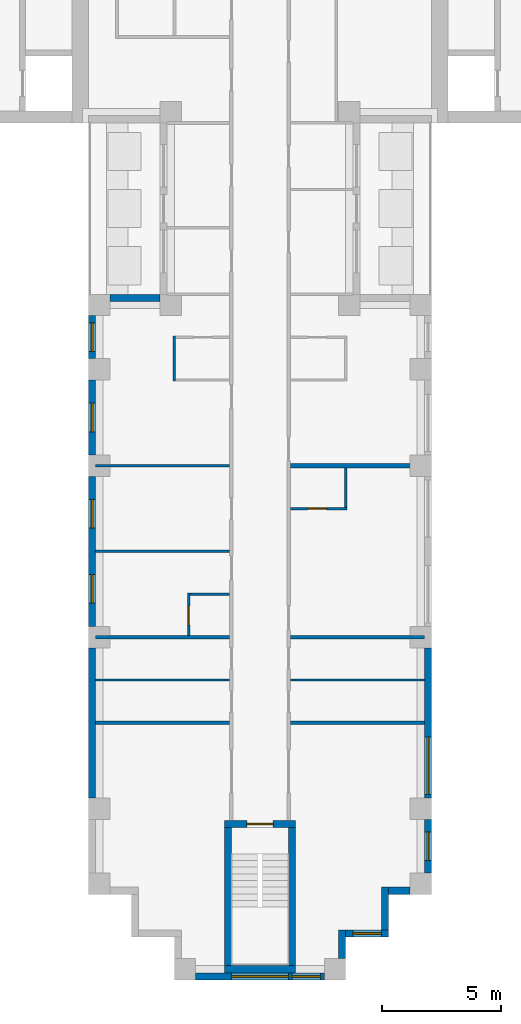
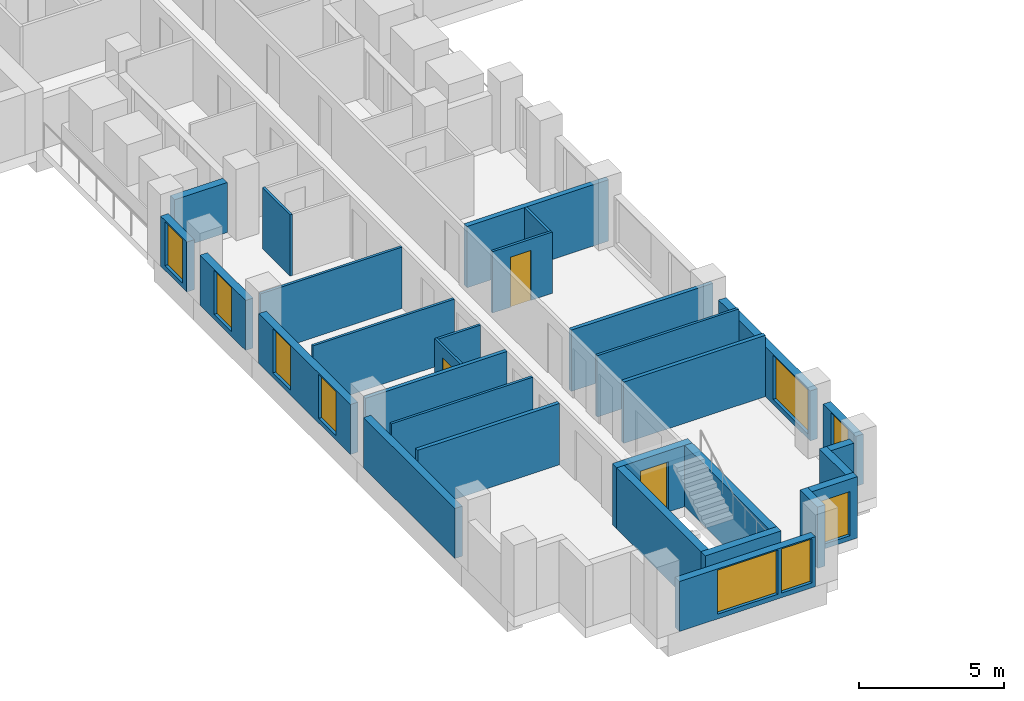
# One storey, part 3 of 15: 30 walls, 9 windows, 3 doors, 12 openings.
"""IFC4 building model written with IfcOpenShell, lengths in metres."""

from ifc_helpers import new_model, si_unit, direction, frame, frame_2d, origin, place, context, subcontext, project, spatial, rectangle, extrude, material, layer, layer_set, type_object, element, fill, save


model = new_model("IFC4")

# Units and contexts
model_context = context("Model", 3, precision=1e-05, world=origin(), true_north=direction((0.0, 1.0)))
body_context = subcontext(model_context, "Body", "Model", "MODEL_VIEW")
ifc_project = project(units=[si_unit("LENGTHUNIT", "METRE"), si_unit("AREAUNIT", "SQUARE_METRE"), si_unit("VOLUMEUNIT", "CUBIC_METRE"), si_unit("PLANEANGLEUNIT", "RADIAN"), si_unit("MASSUNIT", "GRAM", prefix="KILO")], contexts=[model_context])

# Site, building, storey
site_placement = place(None, origin())
site = spatial("IfcSite", under=ifc_project, at=site_placement, CompositionType="ELEMENT")
building_placement = place(site_placement, origin())
building = spatial("IfcBuilding", under=site, at=building_placement, Name="Fustian Cross Tower", CompositionType="ELEMENT")
storey_placement = place(building_placement, frame((0.0, 0.0, 41.699951171875)))
storey = spatial("IfcBuildingStorey", under=building, at=storey_placement, Name="L12", CompositionType="ELEMENT", Elevation=41.699951171875)

# Walls
ifc_material_1 = material(Name="Plasterboard on steel stud", Category="steel")
ifc_layer_1 = layer(ifc_material_1, 0.14990234375)
ifc_layer_set_1 = layer_set([ifc_layer_1], Name="Plasterboard on steel stud")
wall_type_1 = type_object("IfcWallType", Name="COMPARTMENT WALL 150 EI 60", PredefinedType="PARTITIONING", material=ifc_layer_set_1)
for number, where, z_axis, x_axis, name in (
    (1, (-6.89990234375, -32.39990234375, 0.0), (0.0, 0.0, 1.0), (1.0, 0.0, 0.0), "Partition 14"),
    (2, (-6.89990234375, -28.800048828125, 0.0), (0.0, 0.0, 1.0), (1.0, 0.0, 0.0), "Partition 16"),
    (3, (1.27490234375, -32.39990234375, 0.0), (0.0, 0.0, 1.0), (1.0, 0.0, 0.0), "Partition 41"),
    (4, (1.27490234375, -28.800048828125, 0.0), (0.0, 0.0, 1.0), (1.0, 0.0, 0.0), "Partition 43"),
):
    element("IfcWall", number, at=place(storey_placement, frame(where, z_axis=z_axis, x_axis=x_axis)), inside=storey, type_object=wall_type_1, Name=name, PredefinedType="PARTITIONING", context=body_context, shape_type="SweptSolid", body=[
        extrude(rectangle(XDim=5.625, YDim=0.14990234375, at=frame_2d((2.8125, 0.0))), origin(), (0.0, 0.0, 1.0), 2.574951171875),
    ])
ifc_material_2 = material(Name="Plasterboard on steel stud", Category="steel")
ifc_layer_2 = layer(ifc_material_2, 0.10009765625)
ifc_layer_set_2 = layer_set([ifc_layer_2], Name="Plasterboard on steel stud")
wall_type_2 = type_object("IfcWallType", Name="PARTITION 100 STUD", PredefinedType="PARTITIONING", material=ifc_layer_set_2)
for number, where, z_axis, x_axis, name in (
    (5, (-6.89990234375, -30.60009765625, 0.0), (0.0, 0.0, 1.0), (1.0, 0.0, 0.0), "Partition 15"),
    (6, (-6.89990234375, -25.199951171875, 0.0), (0.0, 0.0, 1.0), (1.0, 0.0, 0.0), "Partition 17"),
    (7, (-6.89990234375, -21.60009765625, 0.0), (0.0, 0.0, 1.0), (1.0, 0.0, 0.0), "Partition 18"),
):
    element("IfcWall", number, at=place(storey_placement, frame(where, z_axis=z_axis, x_axis=x_axis)), inside=storey, type_object=wall_type_2, Name=name, PredefinedType="PARTITIONING", context=body_context, shape_type="SweptSolid", body=[
        extrude(rectangle(XDim=5.625, YDim=0.10009765625, at=frame_2d((2.8125, 0.0))), origin(), (0.0, 0.0, 1.0), 2.574951171875),
    ])
wall_1_placement = place(storey_placement, frame((-3.60009765625, -18.050048828125, 0.0), z_axis=(0.0, 0.0, 1.0), x_axis=(0.0, 1.0, 0.0)))
element("IfcWall", 8, at=wall_1_placement, inside=storey, type_object=wall_type_2, Name="Partition 29", PredefinedType="PARTITIONING", context=body_context, shape_type="SweptSolid", body=[
    extrude(rectangle(XDim=1.900146484375, YDim=0.10009765625, at=frame_2d((0.9501953125, 0.0))), origin(), (0.0, 0.0, 1.0), 2.574951171875),
])

# Wall, opening, door
wall_2_placement = place(storey_placement, frame((-3.0, -28.72509765625, 0.0), z_axis=(0.0, 0.0, 1.0), x_axis=(0.0, 1.0, 0.0)))
wall_2 = element("IfcWall", 9, at=wall_2_placement, inside=storey, type_object=wall_type_2, Name="Partition 36", PredefinedType="PARTITIONING", context=body_context, shape_type="SweptSolid", body=[
    extrude(rectangle(XDim=1.775146484375, YDim=0.10009765625, at=frame_2d((0.8876953125, 0.0))), origin(), (0.0, 0.0, 1.0), 2.574951171875),
])
opening_1_placement = place(wall_2_placement, frame((0.425048828125, 0.0, 0.0)))
opening_1 = element("IfcOpeningElement", 10, at=opening_1_placement, cuts=wall_2, Name="Opening D07063", PredefinedType="OPENING", context=body_context, shape_type="SweptSolid", body=[
    extrude(rectangle(XDim=0.800048828125, YDim=2.10009765625, at=frame_2d((0.39990234375, 1.050048828125))), frame((0.0, 0.06005859375, 0.0), z_axis=(0.0, -1.0, 0.0), x_axis=(1.0, 0.0, 0.0)), (0.0, 0.0, 1.0), 0.1201171875),
])
ifc_material_3 = material(Name="Painted timber", Category="wood")
door_type_1 = type_object("IfcDoorType", Name="SWING DOOR 800", OperationType="SINGLE_SWING_LEFT", PredefinedType="DOOR", material=ifc_material_3)
door_1_placement = place(opening_1_placement, frame((0.800048828125, 0.0, 0.0), z_axis=(0.0, 0.0, 1.0), x_axis=(-1.0, 0.0, 0.0)))
door_1 = element("IfcDoor", 11, at=door_1_placement, inside=storey, type_object=door_type_1, Name="Door D07063", OperationType="SINGLE_SWING_LEFT", OverallHeight=2.10009765625, OverallWidth=0.800048828125, PredefinedType="DOOR", context=body_context, shape_type="SweptSolid", body=[
    extrude(rectangle(XDim=0.800048828125, YDim=2.10009765625, at=frame_2d((0.39990234375, 1.050048828125))), frame((0.0, 0.02490234375, 0.0), z_axis=(0.0, -1.0, 0.0), x_axis=(1.0, 0.0, 0.0)), (0.0, 0.0, 1.0), 0.050048828125),
])
fill(opening_1, door_1)

# Walls
wall_3_placement = place(storey_placement, frame((-2.949951171875, -27.0, 0.0), z_axis=(0.0, 0.0, 1.0), x_axis=(1.0, 0.0, 0.0)))
element("IfcWall", 12, at=wall_3_placement, inside=storey, type_object=wall_type_2, Name="Partition 37", PredefinedType="PARTITIONING", context=body_context, shape_type="SweptSolid", body=[
    extrude(rectangle(XDim=1.675048828125, YDim=0.10009765625, at=frame_2d((0.83740234375, 0.0))), origin(), (0.0, 0.0, 1.0), 2.574951171875),
])
wall_4_placement = place(storey_placement, frame((1.27490234375, -30.60009765625, 0.0), z_axis=(0.0, 0.0, 1.0), x_axis=(1.0, 0.0, 0.0)))
element("IfcWall", 13, at=wall_4_placement, inside=storey, type_object=wall_type_2, Name="Partition 42", PredefinedType="PARTITIONING", context=body_context, shape_type="SweptSolid", body=[
    extrude(rectangle(XDim=5.625, YDim=0.10009765625, at=frame_2d((2.8125, 0.0))), origin(), (0.0, 0.0, 1.0), 2.574951171875),
])

# Wall, opening, door
wall_5_placement = place(storey_placement, frame((1.27490234375, -23.39990234375, 0.0), z_axis=(0.0, 0.0, 1.0), x_axis=(1.0, 0.0, 0.0)))
wall_5 = element("IfcWall", 14, at=wall_5_placement, inside=storey, type_object=wall_type_2, Name="Partition 44", PredefinedType="PARTITIONING", context=body_context, shape_type="SweptSolid", body=[
    extrude(rectangle(XDim=2.375, YDim=0.10009765625, at=frame_2d((1.1875, 0.0))), origin(), (0.0, 0.0, 1.0), 2.574951171875),
])
opening_2_placement = place(wall_5_placement, frame((0.72509765625, 0.0, 0.0)))
opening_2 = element("IfcOpeningElement", 15, at=opening_2_placement, cuts=wall_5, Name="Opening D07053", PredefinedType="OPENING", context=body_context, shape_type="SweptSolid", body=[
    extrude(rectangle(XDim=0.800048828125, YDim=2.10009765625, at=frame_2d((0.39990234375, 1.050048828125))), frame((0.0, 0.06005859375, 0.0), z_axis=(0.0, -1.0, 0.0), x_axis=(1.0, 0.0, 0.0)), (0.0, 0.0, 1.0), 0.1201171875),
])
door_2_placement = place(opening_2_placement, origin())
door_2 = element("IfcDoor", 16, at=door_2_placement, inside=storey, type_object=door_type_1, Name="Door D07053", OperationType="SINGLE_SWING_LEFT", OverallHeight=2.10009765625, OverallWidth=0.800048828125, PredefinedType="DOOR", context=body_context, shape_type="SweptSolid", body=[
    extrude(rectangle(XDim=0.800048828125, YDim=2.10009765625, at=frame_2d((0.39990234375, 1.050048828125))), frame((0.0, 0.02490234375, 0.0), z_axis=(0.0, -1.0, 0.0), x_axis=(1.0, 0.0, 0.0)), (0.0, 0.0, 1.0), 0.050048828125),
])
fill(opening_2, door_2)

# Walls
wall_6_placement = place(storey_placement, frame((3.60009765625, -23.35009765625, 0.0), z_axis=(0.0, 0.0, 1.0), x_axis=(0.0, 1.0, 0.0)))
element("IfcWall", 17, at=wall_6_placement, inside=storey, type_object=wall_type_2, Name="Partition 71", PredefinedType="PARTITIONING", context=body_context, shape_type="SweptSolid", body=[
    extrude(rectangle(XDim=1.650146484375, YDim=0.10009765625, at=frame_2d((0.8251953125, 0.0))), origin(), (0.0, 0.0, 1.0), 2.574951171875),
])
ifc_material_4 = material(Name="Plasterboard on steel stud", Category="steel")
ifc_layer_3 = layer(ifc_material_4, 0.199951171875)
ifc_layer_set_3 = layer_set([ifc_layer_3], Name="Plasterboard on steel stud")
wall_type_3 = type_object("IfcWallType", Name="PARTY WALL 200 EI 60", PredefinedType="PARTITIONING", material=ifc_layer_set_3)
wall_7_placement = place(storey_placement, frame((1.27490234375, -21.60009765625, 0.0), z_axis=(0.0, 0.0, 1.0), x_axis=(1.0, 0.0, 0.0)))
element("IfcWall", 18, at=wall_7_placement, inside=storey, type_object=wall_type_3, Name="Partition 45", PredefinedType="PARTITIONING", context=body_context, shape_type="SweptSolid", body=[
    extrude(rectangle(XDim=5.625, YDim=0.199951171875, at=frame_2d((2.8125, 0.0))), origin(), (0.0, 0.0, 1.0), 2.574951171875),
])

# Wall, opening, door
ifc_material_5 = material(Name="Concrete C50/60", Category="concrete")
ifc_layer_4 = layer(ifc_material_5, 0.300048828125)
ifc_layer_set_4 = layer_set([ifc_layer_4], Name="Concrete C50/60")
wall_type_4 = type_object("IfcWallType", Name="STAIR ENCLOSURE WALL 300 C50/60", PredefinedType="SHEAR", material=ifc_layer_set_4)
wall_8_placement = place(storey_placement, frame((-1.5, -36.64990234375, 0.0), z_axis=(0.0, 0.0, 1.0), x_axis=(1.0, 0.0, 0.0)))
wall_8 = element("IfcWall", 19, at=wall_8_placement, inside=storey, type_object=wall_type_4, Name="Stair enclosure wall", PredefinedType="SHEAR", context=body_context, shape_type="SweptSolid", body=[
    extrude(rectangle(XDim=3.0, YDim=0.300048828125, at=frame_2d((1.5, 0.0))), origin(), (0.0, 0.0, 1.0), 2.574951171875),
])
opening_3_placement = place(wall_8_placement, frame((0.949951171875, 0.0, 0.0)))
opening_3 = element("IfcOpeningElement", 20, at=opening_3_placement, cuts=wall_8, Name="Opening CD-04-30", PredefinedType="OPENING", context=body_context, shape_type="SweptSolid", body=[
    extrude(rectangle(XDim=1.10009765625, YDim=2.10009765625, at=frame_2d((0.550048828125, 1.050048828125))), frame((0.0, 0.159912109375, 0.0), z_axis=(0.0, -1.0, 0.0), x_axis=(1.0, 0.0, 0.0)), (0.0, 0.0, 1.0), 0.320068359375),
])
ifc_material_6 = material(Name="Steel", Category="steel")
door_type_2 = type_object("IfcDoorType", Name="FIRE DOOR FD60S 1100X2100", OperationType="SINGLE_SWING_LEFT", PredefinedType="DOOR", material=ifc_material_6)
door_3_placement = place(opening_3_placement, frame((1.10009765625, 0.0, 0.0), z_axis=(0.0, 0.0, 1.0), x_axis=(-1.0, 0.0, 0.0)))
door_3 = element("IfcDoor", 21, at=door_3_placement, inside=storey, type_object=door_type_2, Name="Core door CD-04-30", OperationType="SINGLE_SWING_RIGHT", OverallHeight=2.10009765625, OverallWidth=1.10009765625, PredefinedType="DOOR", context=body_context, shape_type="SweptSolid", body=[
    extrude(rectangle(XDim=1.10009765625, YDim=2.10009765625, at=frame_2d((0.550048828125, 1.050048828125))), frame((0.0, 0.02490234375, 0.0), z_axis=(0.0, -1.0, 0.0), x_axis=(1.0, 0.0, 0.0)), (0.0, 0.0, 1.0), 0.050048828125),
])
fill(opening_3, door_3)

# Walls
wall_9_placement = place(storey_placement, frame((-1.5, -42.75, 0.0), z_axis=(0.0, 0.0, 1.0), x_axis=(1.0, 0.0, 0.0)))
element("IfcWall", 22, at=wall_9_placement, inside=storey, type_object=wall_type_4, Name="Stair enclosure wall", PredefinedType="SHEAR", context=body_context, shape_type="SweptSolid", body=[
    extrude(rectangle(XDim=3.0, YDim=0.300048828125, at=frame_2d((1.5, 0.0))), origin(), (0.0, 0.0, 1.0), 2.574951171875),
])
for number, where, z_axis, x_axis, name in (
    (23, (-1.35009765625, -36.800048828125, 0.0), (0.0, 0.0, 1.0), (0.0, -1.0, 0.0), "Stair enclosure wall"),
    (24, (1.35009765625, -36.800048828125, 0.0), (0.0, 0.0, 1.0), (0.0, -1.0, 0.0), "Stair enclosure wall"),
):
    element("IfcWall", number, at=place(storey_placement, frame(where, z_axis=z_axis, x_axis=x_axis)), inside=storey, type_object=wall_type_4, Name=name, PredefinedType="SHEAR", context=body_context, shape_type="SweptSolid", body=[
        extrude(rectangle(XDim=5.800048828125, YDim=0.300048828125, at=frame_2d((2.89990234375, 0.0))), origin(), (0.0, 0.0, 1.0), 2.574951171875),
    ])
ifc_material_7 = material(Name="Dark aluminium cladding on insulated backing wall", Category="aluminium")
ifc_layer_5 = layer(ifc_material_7, 0.300048828125)
ifc_layer_set_5 = layer_set([ifc_layer_5], Name="Dark aluminium cladding on insulated backing wall")
wall_type_5 = type_object("IfcWallType", Name="XW1 EXTERNAL WALL 300", PredefinedType="SOLIDWALL", material=ifc_layer_set_5)
wall_10_placement = place(storey_placement, frame((-4.199951171875, -14.550048828125, 0.0), z_axis=(0.0, 0.0, 1.0), x_axis=(-1.0, 0.0, 0.0)))
element("IfcWall", 25, at=wall_10_placement, inside=storey, type_object=wall_type_5, Name="External wall", PredefinedType="SOLIDWALL", context=body_context, shape_type="SweptSolid", body=[
    extrude(rectangle(XDim=2.10009765625, YDim=0.300048828125, at=frame_2d((1.050048828125, 0.0))), origin(), (0.0, 0.0, 1.0), 2.10009765625),
])

# Wall, opening, window
wall_11_placement = place(storey_placement, frame((-7.050048828125, -15.300048828125, 0.0), z_axis=(0.0, 0.0, 1.0), x_axis=(0.0, -1.0, 0.0)))
wall_11 = element("IfcWall", 26, at=wall_11_placement, inside=storey, type_object=wall_type_5, Name="External wall", PredefinedType="SOLIDWALL", context=body_context, shape_type="SweptSolid", body=[
    extrude(rectangle(XDim=1.800048828125, YDim=0.300048828125, at=frame_2d((0.89990234375, 0.0))), origin(), (0.0, 0.0, 1.0), 2.10009765625),
])
opening_4_placement = place(wall_11_placement, frame((0.300048828125, 0.0, 0.199951171875)))
opening_4 = element("IfcOpeningElement", 27, at=opening_4_placement, cuts=wall_11, Name="Opening WN3", PredefinedType="OPENING", context=body_context, shape_type="SweptSolid", body=[
    extrude(rectangle(XDim=1.199951171875, YDim=1.85009765625, at=frame_2d((0.60009765625, 0.925048828125))), frame((0.0, 0.159912109375, 0.0), z_axis=(0.0, -1.0, 0.0), x_axis=(1.0, 0.0, 0.0)), (0.0, 0.0, 1.0), 0.320068359375),
])
ifc_material_8 = material(Name="Dark anodised aluminium and double glazing", Category="aluminium")
window_type_1 = type_object("IfcWindowType", Name="WN3 WINDOW 1200X1850", PartitioningType="SINGLE_PANEL", PredefinedType="WINDOW", material=ifc_material_8)
window_1_placement = place(opening_4_placement, origin())
window_1 = element("IfcWindow", 28, at=window_1_placement, inside=storey, type_object=window_type_1, Name="Window", OverallHeight=1.85009765625, OverallWidth=1.199951171875, PartitioningType="SINGLE_PANEL", PredefinedType="WINDOW", context=body_context, shape_type="SweptSolid", body=[
    extrude(rectangle(XDim=1.199951171875, YDim=1.85009765625, at=frame_2d((0.60009765625, 0.925048828125))), frame((0.0, 0.030029296875, 0.0), z_axis=(0.0, -1.0, 0.0), x_axis=(1.0, 0.0, 0.0)), (0.0, 0.0, 1.0), 0.06005859375),
])
fill(opening_4, window_1)

wall_12_placement = place(storey_placement, frame((-7.050048828125, -18.0, 0.0), z_axis=(0.0, 0.0, 1.0), x_axis=(0.0, -1.0, 0.0)))
wall_12 = element("IfcWall", 29, at=wall_12_placement, inside=storey, type_object=wall_type_5, Name="External wall", PredefinedType="SOLIDWALL", context=body_context, shape_type="SweptSolid", body=[
    extrude(rectangle(XDim=3.14990234375, YDim=0.300048828125, at=frame_2d((1.574951171875, 0.0))), origin(), (0.0, 0.0, 1.0), 2.10009765625),
])
opening_5_placement = place(wall_12_placement, frame((0.97509765625, 0.0, 0.199951171875)))
opening_5 = element("IfcOpeningElement", 30, at=opening_5_placement, cuts=wall_12, Name="Opening WN3", PredefinedType="OPENING", context=body_context, shape_type="SweptSolid", body=[
    extrude(rectangle(XDim=1.199951171875, YDim=1.85009765625, at=frame_2d((0.60009765625, 0.925048828125))), frame((0.0, 0.159912109375, 0.0), z_axis=(0.0, -1.0, 0.0), x_axis=(1.0, 0.0, 0.0)), (0.0, 0.0, 1.0), 0.320068359375),
])
window_2_placement = place(opening_5_placement, origin())
window_2 = element("IfcWindow", 31, at=window_2_placement, inside=storey, type_object=window_type_1, Name="Window", OverallHeight=1.85009765625, OverallWidth=1.199951171875, PartitioningType="SINGLE_PANEL", PredefinedType="WINDOW", context=body_context, shape_type="SweptSolid", body=[
    extrude(rectangle(XDim=1.199951171875, YDim=1.85009765625, at=frame_2d((0.60009765625, 0.925048828125))), frame((0.0, 0.030029296875, 0.0), z_axis=(0.0, -1.0, 0.0), x_axis=(1.0, 0.0, 0.0)), (0.0, 0.0, 1.0), 0.06005859375),
])
fill(opening_5, window_2)

# Wall, openings, windows
wall_13_placement = place(storey_placement, frame((-7.050048828125, -22.050048828125, 0.0), z_axis=(0.0, 0.0, 1.0), x_axis=(0.0, -1.0, 0.0)))
wall_13 = element("IfcWall", 32, at=wall_13_placement, inside=storey, type_object=wall_type_5, Name="External wall", PredefinedType="SOLIDWALL", context=body_context, shape_type="SweptSolid", body=[
    extrude(rectangle(XDim=6.300048828125, YDim=0.300048828125, at=frame_2d((3.14990234375, 0.0))), origin(), (0.0, 0.0, 1.0), 2.10009765625),
])
opening_6_placement = place(wall_13_placement, frame((0.97509765625, 0.0, 0.199951171875)))
opening_6 = element("IfcOpeningElement", 33, at=opening_6_placement, cuts=wall_13, Name="Opening WN3", PredefinedType="OPENING", context=body_context, shape_type="SweptSolid", body=[
    extrude(rectangle(XDim=1.199951171875, YDim=1.85009765625, at=frame_2d((0.60009765625, 0.925048828125))), frame((0.0, 0.159912109375, 0.0), z_axis=(0.0, -1.0, 0.0), x_axis=(1.0, 0.0, 0.0)), (0.0, 0.0, 1.0), 0.320068359375),
])
opening_7_placement = place(wall_13_placement, frame((4.125, 0.0, 0.199951171875)))
opening_7 = element("IfcOpeningElement", 34, at=opening_7_placement, cuts=wall_13, Name="Opening WN3", PredefinedType="OPENING", context=body_context, shape_type="SweptSolid", body=[
    extrude(rectangle(XDim=1.199951171875, YDim=1.85009765625, at=frame_2d((0.60009765625, 0.925048828125))), frame((0.0, 0.159912109375, 0.0), z_axis=(0.0, -1.0, 0.0), x_axis=(1.0, 0.0, 0.0)), (0.0, 0.0, 1.0), 0.320068359375),
])
window_3_placement = place(opening_6_placement, origin())
window_3 = element("IfcWindow", 35, at=window_3_placement, inside=storey, type_object=window_type_1, Name="Window", OverallHeight=1.85009765625, OverallWidth=1.199951171875, PartitioningType="SINGLE_PANEL", PredefinedType="WINDOW", context=body_context, shape_type="SweptSolid", body=[
    extrude(rectangle(XDim=1.199951171875, YDim=1.85009765625, at=frame_2d((0.60009765625, 0.925048828125))), frame((0.0, 0.030029296875, 0.0), z_axis=(0.0, -1.0, 0.0), x_axis=(1.0, 0.0, 0.0)), (0.0, 0.0, 1.0), 0.06005859375),
])
fill(opening_6, window_3)
window_4_placement = place(opening_7_placement, origin())
window_4 = element("IfcWindow", 36, at=window_4_placement, inside=storey, type_object=window_type_1, Name="Window", OverallHeight=1.85009765625, OverallWidth=1.199951171875, PartitioningType="SINGLE_PANEL", PredefinedType="WINDOW", context=body_context, shape_type="SweptSolid", body=[
    extrude(rectangle(XDim=1.199951171875, YDim=1.85009765625, at=frame_2d((0.60009765625, 0.925048828125))), frame((0.0, 0.030029296875, 0.0), z_axis=(0.0, -1.0, 0.0), x_axis=(1.0, 0.0, 0.0)), (0.0, 0.0, 1.0), 0.06005859375),
])
fill(opening_7, window_4)

# Wall
wall_14_placement = place(storey_placement, frame((-7.050048828125, -29.25, 0.0), z_axis=(0.0, 0.0, 1.0), x_axis=(0.0, -1.0, 0.0)))
element("IfcWall", 37, at=wall_14_placement, inside=storey, type_object=wall_type_5, Name="External wall", PredefinedType="SOLIDWALL", context=body_context, shape_type="SweptSolid", body=[
    extrude(rectangle(XDim=6.300048828125, YDim=0.300048828125, at=frame_2d((3.14990234375, 0.0))), origin(), (0.0, 0.0, 1.0), 2.10009765625),
])

# Wall, openings, windows
wall_15_placement = place(storey_placement, frame((-2.699951171875, -43.050048828125, 0.0), z_axis=(0.0, 0.0, 1.0), x_axis=(1.0, 0.0, 0.0)))
wall_15 = element("IfcWall", 38, at=wall_15_placement, inside=storey, type_object=wall_type_5, Name="External wall", PredefinedType="SOLIDWALL", context=body_context, shape_type="SweptSolid", body=[
    extrude(rectangle(XDim=5.39990234375, YDim=0.300048828125, at=frame_2d((2.699951171875, 0.0))), origin(), (0.0, 0.0, 1.0), 2.10009765625),
])
opening_8_placement = place(wall_15_placement, frame((1.5, 0.0, 0.199951171875)))
opening_8 = element("IfcOpeningElement", 39, at=opening_8_placement, cuts=wall_15, Name="Opening WN1", PredefinedType="OPENING", context=body_context, shape_type="SweptSolid", body=[
    extrude(rectangle(XDim=2.39990234375, YDim=1.85009765625, at=frame_2d((1.199951171875, 0.925048828125))), frame((0.0, 0.159912109375, 0.0), z_axis=(0.0, -1.0, 0.0), x_axis=(1.0, 0.0, 0.0)), (0.0, 0.0, 1.0), 0.320068359375),
])
opening_9_placement = place(wall_15_placement, frame((4.050048828125, 0.0, 0.199951171875)))
opening_9 = element("IfcOpeningElement", 40, at=opening_9_placement, cuts=wall_15, Name="Opening WN3", PredefinedType="OPENING", context=body_context, shape_type="SweptSolid", body=[
    extrude(rectangle(XDim=1.199951171875, YDim=1.85009765625, at=frame_2d((0.60009765625, 0.925048828125))), frame((0.0, 0.159912109375, 0.0), z_axis=(0.0, -1.0, 0.0), x_axis=(1.0, 0.0, 0.0)), (0.0, 0.0, 1.0), 0.320068359375),
])
ifc_material_9 = material(Name="Dark anodised aluminium and double glazing", Category="aluminium")
window_type_2 = type_object("IfcWindowType", Name="WN1 WINDOW 2400X1850", PartitioningType="SINGLE_PANEL", PredefinedType="WINDOW", material=ifc_material_9)
window_5_placement = place(opening_8_placement, origin())
window_5 = element("IfcWindow", 41, at=window_5_placement, inside=storey, type_object=window_type_2, Name="Window", OverallHeight=1.85009765625, OverallWidth=2.39990234375, PartitioningType="SINGLE_PANEL", PredefinedType="WINDOW", context=body_context, shape_type="SweptSolid", body=[
    extrude(rectangle(XDim=2.39990234375, YDim=1.85009765625, at=frame_2d((1.199951171875, 0.925048828125))), frame((0.0, 0.030029296875, 0.0), z_axis=(0.0, -1.0, 0.0), x_axis=(1.0, 0.0, 0.0)), (0.0, 0.0, 1.0), 0.06005859375),
])
fill(opening_8, window_5)
window_6_placement = place(opening_9_placement, origin())
window_6 = element("IfcWindow", 42, at=window_6_placement, inside=storey, type_object=window_type_1, Name="Window", OverallHeight=1.85009765625, OverallWidth=1.199951171875, PartitioningType="SINGLE_PANEL", PredefinedType="WINDOW", context=body_context, shape_type="SweptSolid", body=[
    extrude(rectangle(XDim=1.199951171875, YDim=1.85009765625, at=frame_2d((0.60009765625, 0.925048828125))), frame((0.0, 0.030029296875, 0.0), z_axis=(0.0, -1.0, 0.0), x_axis=(1.0, 0.0, 0.0)), (0.0, 0.0, 1.0), 0.06005859375),
])
fill(opening_9, window_6)

# Wall
wall_16_placement = place(storey_placement, frame((3.449951171875, -42.300048828125, 0.0), z_axis=(0.0, 0.0, 1.0), x_axis=(0.0, 1.0, 0.0)))
element("IfcWall", 43, at=wall_16_placement, inside=storey, type_object=wall_type_5, Name="External wall", PredefinedType="SOLIDWALL", context=body_context, shape_type="SweptSolid", body=[
    extrude(rectangle(XDim=1.199951171875, YDim=0.300048828125, at=frame_2d((0.60009765625, 0.0))), origin(), (0.0, 0.0, 1.0), 2.574951171875),
])

# Wall, opening, window
wall_17_placement = place(storey_placement, frame((3.60009765625, -41.25, 0.0), z_axis=(0.0, 0.0, 1.0), x_axis=(1.0, 0.0, 0.0)))
wall_17 = element("IfcWall", 44, at=wall_17_placement, inside=storey, type_object=wall_type_5, Name="External wall", PredefinedType="SOLIDWALL", context=body_context, shape_type="SweptSolid", body=[
    extrude(rectangle(XDim=1.7998046875, YDim=0.300048828125, at=frame_2d((0.89990234375, 0.0))), origin(), (0.0, 0.0, 1.0), 2.574951171875),
])
opening_10_placement = place(wall_17_placement, frame((0.300048828125, 0.0, 0.199951171875)))
opening_10 = element("IfcOpeningElement", 45, at=opening_10_placement, cuts=wall_17, Name="Opening WN3", PredefinedType="OPENING", context=body_context, shape_type="SweptSolid", body=[
    extrude(rectangle(XDim=1.199951171875, YDim=1.85009765625, at=frame_2d((0.60009765625, 0.925048828125))), frame((0.0, 0.159912109375, 0.0), z_axis=(0.0, -1.0, 0.0), x_axis=(1.0, 0.0, 0.0)), (0.0, 0.0, 1.0), 0.320068359375),
])
window_7_placement = place(opening_10_placement, origin())
window_7 = element("IfcWindow", 46, at=window_7_placement, inside=storey, type_object=window_type_1, Name="Window", OverallHeight=1.85009765625, OverallWidth=1.199951171875, PartitioningType="SINGLE_PANEL", PredefinedType="WINDOW", context=body_context, shape_type="SweptSolid", body=[
    extrude(rectangle(XDim=1.199951171875, YDim=1.85009765625, at=frame_2d((0.60009765625, 0.925048828125))), frame((0.0, 0.030029296875, 0.0), z_axis=(0.0, -1.0, 0.0), x_axis=(1.0, 0.0, 0.0)), (0.0, 0.0, 1.0), 0.06005859375),
])
fill(opening_10, window_7)

# Walls
wall_18_placement = place(storey_placement, frame((5.25, -41.10009765625, 0.0), z_axis=(0.0, 0.0, 1.0), x_axis=(0.0, 1.0, 0.0)))
element("IfcWall", 47, at=wall_18_placement, inside=storey, type_object=wall_type_5, Name="External wall", PredefinedType="SOLIDWALL", context=body_context, shape_type="SweptSolid", body=[
    extrude(rectangle(XDim=1.800048828125, YDim=0.300048828125, at=frame_2d((0.89990234375, 0.0))), origin(), (0.0, 0.0, 1.0), 2.574951171875),
])
wall_19_placement = place(storey_placement, frame((5.39990234375, -39.449951171875, 0.0), z_axis=(0.0, 0.0, 1.0), x_axis=(1.0, 0.0, 0.0)))
element("IfcWall", 48, at=wall_19_placement, inside=storey, type_object=wall_type_5, Name="External wall", PredefinedType="SOLIDWALL", context=body_context, shape_type="SweptSolid", body=[
    extrude(rectangle(XDim=0.900146484375, YDim=0.300048828125, at=frame_2d((0.4501953125, 0.0))), origin(), (0.0, 0.0, 1.0), 2.574951171875),
])

# Wall, opening, window
wall_20_placement = place(storey_placement, frame((7.050048828125, -38.699951171875, 0.0), z_axis=(0.0, 0.0, 1.0), x_axis=(0.0, 1.0, 0.0)))
wall_20 = element("IfcWall", 49, at=wall_20_placement, inside=storey, type_object=wall_type_5, Name="External wall", PredefinedType="SOLIDWALL", context=body_context, shape_type="SweptSolid", body=[
    extrude(rectangle(XDim=2.25, YDim=0.300048828125, at=frame_2d((1.125, 0.0))), origin(), (0.0, 0.0, 1.0), 2.10009765625),
])
opening_11_placement = place(wall_20_placement, frame((0.52490234375, 0.0, 0.199951171875)))
opening_11 = element("IfcOpeningElement", 50, at=opening_11_placement, cuts=wall_20, Name="Opening WN3", PredefinedType="OPENING", context=body_context, shape_type="SweptSolid", body=[
    extrude(rectangle(XDim=1.199951171875, YDim=1.85009765625, at=frame_2d((0.60009765625, 0.925048828125))), frame((0.0, 0.159912109375, 0.0), z_axis=(0.0, -1.0, 0.0), x_axis=(1.0, 0.0, 0.0)), (0.0, 0.0, 1.0), 0.320068359375),
])
window_8_placement = place(opening_11_placement, origin())
window_8 = element("IfcWindow", 51, at=window_8_placement, inside=storey, type_object=window_type_1, Name="Window", OverallHeight=1.85009765625, OverallWidth=1.199951171875, PartitioningType="SINGLE_PANEL", PredefinedType="WINDOW", context=body_context, shape_type="SweptSolid", body=[
    extrude(rectangle(XDim=1.199951171875, YDim=1.85009765625, at=frame_2d((0.60009765625, 0.925048828125))), frame((0.0, 0.030029296875, 0.0), z_axis=(0.0, -1.0, 0.0), x_axis=(1.0, 0.0, 0.0)), (0.0, 0.0, 1.0), 0.06005859375),
])
fill(opening_11, window_8)

wall_21_placement = place(storey_placement, frame((7.050048828125, -35.550048828125, 0.0), z_axis=(0.0, 0.0, 1.0), x_axis=(0.0, 1.0, 0.0)))
wall_21 = element("IfcWall", 52, at=wall_21_placement, inside=storey, type_object=wall_type_5, Name="External wall", PredefinedType="SOLIDWALL", context=body_context, shape_type="SweptSolid", body=[
    extrude(rectangle(XDim=6.300048828125, YDim=0.300048828125, at=frame_2d((3.14990234375, 0.0))), origin(), (0.0, 0.0, 1.0), 2.10009765625),
])
opening_12_placement = place(wall_21_placement, frame((0.14990234375, 0.0, 0.199951171875)))
opening_12 = element("IfcOpeningElement", 53, at=opening_12_placement, cuts=wall_21, Name="Opening WN1", PredefinedType="OPENING", context=body_context, shape_type="SweptSolid", body=[
    extrude(rectangle(XDim=2.39990234375, YDim=1.85009765625, at=frame_2d((1.199951171875, 0.925048828125))), frame((0.0, 0.159912109375, 0.0), z_axis=(0.0, -1.0, 0.0), x_axis=(1.0, 0.0, 0.0)), (0.0, 0.0, 1.0), 0.320068359375),
])
window_9_placement = place(opening_12_placement, origin())
window_9 = element("IfcWindow", 54, at=window_9_placement, inside=storey, type_object=window_type_2, Name="Window", OverallHeight=1.85009765625, OverallWidth=2.39990234375, PartitioningType="SINGLE_PANEL", PredefinedType="WINDOW", context=body_context, shape_type="SweptSolid", body=[
    extrude(rectangle(XDim=2.39990234375, YDim=1.85009765625, at=frame_2d((1.199951171875, 0.925048828125))), frame((0.0, 0.030029296875, 0.0), z_axis=(0.0, -1.0, 0.0), x_axis=(1.0, 0.0, 0.0)), (0.0, 0.0, 1.0), 0.06005859375),
])
fill(opening_12, window_9)

save(model, "model.ifc")
